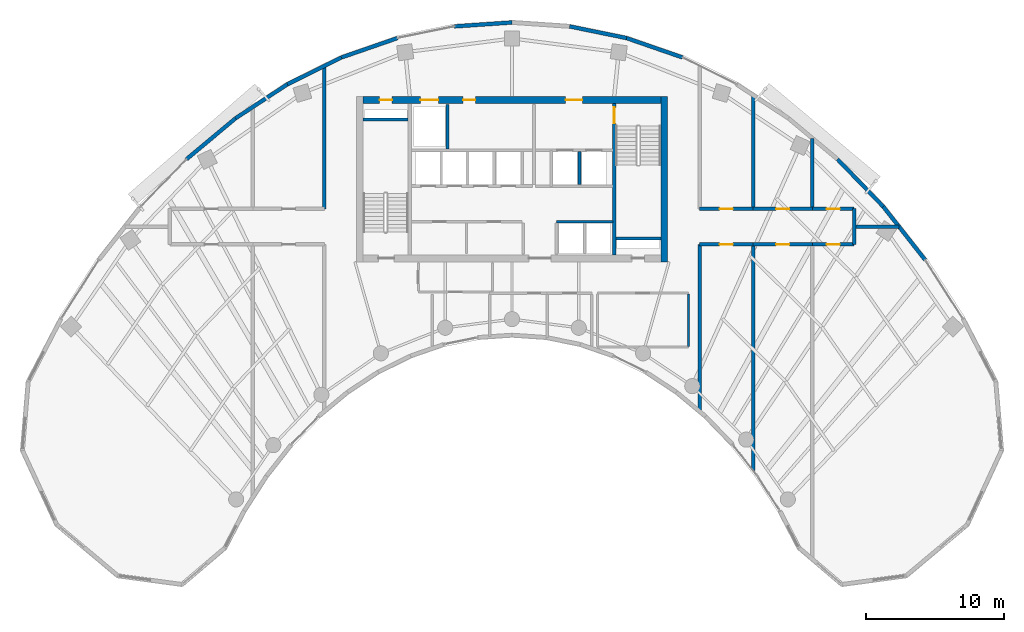
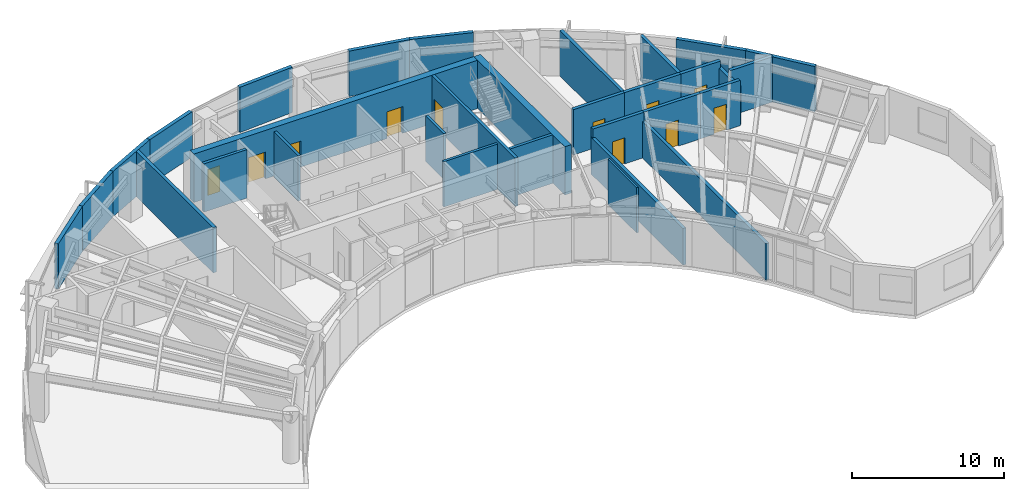
# One storey, part 10 of 13: 31 walls, 11 doors, 11 openings.
"""IFC4 building model written with IfcOpenShell, lengths in metres."""

from ifc_helpers import new_model, si_unit, direction, frame, frame_2d, origin, place, context, subcontext, project, spatial, rectangle, extrude, source, transform, mapped, material, layer, layer_set, type_object, type_shapes, element, fill, save


model = new_model("IFC4")

# Units and contexts
model_context = context("Model", 3, precision=1e-05, world=origin(), true_north=direction((0.0, 1.0)))
body_context = subcontext(model_context, "Body", "Model", "MODEL_VIEW")
ifc_project = project(units=[si_unit("LENGTHUNIT", "METRE"), si_unit("AREAUNIT", "SQUARE_METRE"), si_unit("VOLUMEUNIT", "CUBIC_METRE"), si_unit("PLANEANGLEUNIT", "RADIAN"), si_unit("MASSUNIT", "GRAM", prefix="KILO")], contexts=[model_context])

# Site, building, storey
site_placement = place(None, origin())
site = spatial("IfcSite", under=ifc_project, at=site_placement, CompositionType="ELEMENT")
building_placement = place(site_placement, origin())
building = spatial("IfcBuilding", under=site, at=building_placement, Name="Breltana Convention Tower", CompositionType="ELEMENT")
storey_placement = place(building_placement, frame((0.0, 0.0, 181.800048828125)))
storey = spatial("IfcBuildingStorey", under=building, at=storey_placement, Name="L44", CompositionType="ELEMENT", Elevation=181.800048828125)

# Wall
ifc_material_1 = material(Name="Concrete C60/75", Category="concrete")
ifc_layer_1 = layer(ifc_material_1, 0.5, Name="Concrete C60/75")
ifc_layer_set_1 = layer_set([ifc_layer_1], Name="Concrete C60/75")
wall_type_1 = type_object("IfcWallType", Name="SW-CORE-500", PredefinedType="SHEAR", material=ifc_layer_set_1)
shared_shape_1 = source(origin(), body_context, "Body", "SweptSolid", [
    extrude(rectangle(XDim=12.0, YDim=0.5, at=frame_2d((6.0, 0.0))), origin(), (0.0, 0.0, 1.0), 3.89990234375),
])
wall_1_placement = place(storey_placement, frame((59.050048828125, 60.199951171875, 0.0), z_axis=(0.0, 0.0, 1.0), x_axis=(0.0, 1.0, 0.0)))
element("IfcWall", 1, at=wall_1_placement, inside=storey, type_object=wall_type_1, Name="L44 East Core Shear Wall", PredefinedType="SHEAR", context=body_context, shape_type="MappedRepresentation", body=[
    mapped(shared_shape_1, transform((0.0, 0.0, 0.0), scale=1.0)),
])

# Wall, openings, doors
shared_shape_2 = source(origin(), body_context, "Body", "SweptSolid", [
    extrude(rectangle(XDim=21.60009765625, YDim=0.5, at=frame_2d((10.800048828125, 0.0))), origin(), (0.0, 0.0, 1.0), 3.89990234375),
])
wall_2_placement = place(storey_placement, frame((37.199951171875, 71.949951171875, 0.0), z_axis=(0.0, 0.0, 1.0), x_axis=(1.0, 0.0, 0.0)))
wall_2 = element("IfcWall", 2, at=wall_2_placement, inside=storey, type_object=wall_type_1, Name="L44 North Core Shear Wall", PredefinedType="SHEAR", context=body_context, shape_type="MappedRepresentation", body=[
    mapped(shared_shape_2, transform((0.0, 0.0, 0.0), scale=1.0)),
])
opening_1_placement = place(wall_2_placement, frame((1.199951171875, 0.0, 0.0)))
opening_1 = element("IfcOpeningElement", 3, at=opening_1_placement, cuts=wall_2, Name="Opening D-18", PredefinedType="OPENING", context=body_context, shape_type="SweptSolid", body=[
    extrude(rectangle(XDim=0.89990234375, YDim=2.10009765625, at=frame_2d((0.449951171875, 1.050048828125))), frame((0.0, 0.260009765625, 0.0), z_axis=(0.0, -1.0, 0.0), x_axis=(1.0, 0.0, 0.0)), (0.0, 0.0, 1.0), 0.52001953125),
])
opening_2_placement = place(wall_2_placement, frame((14.699951171875, 0.0, 0.0)))
opening_2 = element("IfcOpeningElement", 4, at=opening_2_placement, cuts=wall_2, Name="Opening D-09", PredefinedType="OPENING", context=body_context, shape_type="SweptSolid", body=[
    extrude(rectangle(XDim=1.199951171875, YDim=2.14990234375, at=frame_2d((0.60009765625, 1.074951171875))), frame((0.0, 0.260009765625, 0.0), z_axis=(0.0, -1.0, 0.0), x_axis=(1.0, 0.0, 0.0)), (0.0, 0.0, 1.0), 0.52001953125),
])
opening_3_placement = place(wall_2_placement, frame((4.14990234375, 0.0, 0.0)))
opening_3 = element("IfcOpeningElement", 5, at=opening_3_placement, cuts=wall_2, Name="Opening LD-01", PredefinedType="OPENING", context=body_context, shape_type="SweptSolid", body=[
    extrude(rectangle(XDim=1.300048828125, YDim=2.14990234375, at=frame_2d((0.64990234375, 1.074951171875))), frame((0.0, 0.260009765625, 0.0), z_axis=(0.0, -1.0, 0.0), x_axis=(1.0, 0.0, 0.0)), (0.0, 0.0, 1.0), 0.52001953125),
])
opening_4_placement = place(wall_2_placement, frame((7.25, 0.0, 0.0)))
opening_4 = element("IfcOpeningElement", 6, at=opening_4_placement, cuts=wall_2, Name="Opening D-18", PredefinedType="OPENING", context=body_context, shape_type="SweptSolid", body=[
    extrude(rectangle(XDim=0.89990234375, YDim=2.10009765625, at=frame_2d((0.449951171875, 1.050048828125))), frame((0.0, 0.260009765625, 0.0), z_axis=(0.0, -1.0, 0.0), x_axis=(1.0, 0.0, 0.0)), (0.0, 0.0, 1.0), 0.52001953125),
])
ifc_material_2 = material(Name="Steel Riser Fire Door", Category="steel")
door_type_1 = type_object("IfcDoorType", Name="DR-FD60-900", OperationType="NOTDEFINED", PredefinedType="DOOR", material=ifc_material_2)
shared_shape_3 = source(origin(), body_context, "Body", "SweptSolid", [
    extrude(rectangle(XDim=0.89990234375, YDim=2.10009765625, at=frame_2d((0.449951171875, 1.050048828125))), frame((0.0, 0.02490234375, 0.0), z_axis=(0.0, -1.0, 0.0), x_axis=(1.0, 0.0, 0.0)), (0.0, 0.0, 1.0), 0.050048828125),
])
type_shapes(door_type_1, [shared_shape_3])
door_1_placement = place(opening_1_placement, origin())
door_1 = element("IfcDoor", 7, at=door_1_placement, inside=storey, type_object=door_type_1, Name="L44 Core Riser Access Door D-L44-RS1", OperationType="SINGLE_SWING_LEFT", OverallHeight=2.10009765625, OverallWidth=0.89990234375, PredefinedType="DOOR", context=body_context, shape_type="MappedRepresentation", body=[
    mapped(shared_shape_3, transform((0.0, 0.0, 0.0), scale=1.0)),
])
fill(opening_1, door_1)
door_2_placement = place(opening_4_placement, origin())
door_2 = element("IfcDoor", 8, at=door_2_placement, inside=storey, type_object=door_type_1, Name="L44 interior door D-L44-CRA1", OperationType="SINGLE_SWING_RIGHT", OverallHeight=2.10009765625, OverallWidth=0.89990234375, PredefinedType="DOOR", context=body_context, shape_type="MappedRepresentation", body=[
    mapped(shared_shape_3, transform((0.0, 0.0, 0.0), scale=1.0)),
])
fill(opening_4, door_2)
ifc_material_3 = material(Name="Steel Fire Lobby Door", Category="steel")
door_type_2 = type_object("IfcDoorType", Name="DR-FD120-1200", OperationType="NOTDEFINED", PredefinedType="DOOR", material=ifc_material_3)
shared_shape_4 = source(origin(), body_context, "Body", "SweptSolid", [
    extrude(rectangle(XDim=1.199951171875, YDim=2.14990234375, at=frame_2d((0.60009765625, 1.074951171875))), frame((0.0, 0.02490234375, 0.0), z_axis=(0.0, -1.0, 0.0), x_axis=(1.0, 0.0, 0.0)), (0.0, 0.0, 1.0), 0.050048828125),
])
type_shapes(door_type_2, [shared_shape_4])
door_3_placement = place(opening_2_placement, origin())
door_3 = element("IfcDoor", 9, at=door_3_placement, inside=storey, type_object=door_type_2, Name="L44 interior door D-L44-FFL-N", OperationType="SINGLE_SWING_RIGHT", OverallHeight=2.14990234375, OverallWidth=1.199951171875, PredefinedType="DOOR", context=body_context, shape_type="MappedRepresentation", body=[
    mapped(shared_shape_4, transform((0.0, 0.0, 0.0), scale=1.0)),
])
fill(opening_2, door_3)
ifc_material_4 = material(Name="Stainless Steel Brushed", Category="steel")
door_type_3 = type_object("IfcDoorType", Name="DR-LD-SRV-1300", OperationType="DOUBLE_DOOR_SLIDING", PredefinedType="DOOR", material=ifc_material_4)
shared_shape_5 = source(origin(), body_context, "Body", "SweptSolid", [
    extrude(rectangle(XDim=1.300048828125, YDim=2.14990234375, at=frame_2d((0.64990234375, 1.074951171875))), frame((0.0, 0.02490234375, 0.0), z_axis=(0.0, -1.0, 0.0), x_axis=(1.0, 0.0, 0.0)), (0.0, 0.0, 1.0), 0.050048828125),
])
type_shapes(door_type_3, [shared_shape_5])
door_4_placement = place(opening_3_placement, origin())
door_4 = element("IfcDoor", 10, at=door_4_placement, inside=storey, type_object=door_type_3, Name="L44 Lift Landing Door D-L44-LD-SV1", OperationType="DOUBLE_DOOR_SLIDING", OverallHeight=2.14990234375, OverallWidth=1.300048828125, PredefinedType="DOOR", context=body_context, shape_type="MappedRepresentation", body=[
    mapped(shared_shape_5, transform((0.0, 0.0, 0.0), scale=1.0)),
])
fill(opening_3, door_4)

# Walls
ifc_material_5 = material(Name="Concrete C50/60", Category="concrete")
ifc_layer_2 = layer(ifc_material_5, 0.39990234375, Name="Concrete C50/60")
ifc_layer_set_2 = layer_set([ifc_layer_2], Name="Concrete C50/60")
wall_type_2 = type_object("IfcWallType", Name="SW-CORE-400", PredefinedType="SHEAR", material=ifc_layer_set_2)
shared_shape_6 = source(origin(), body_context, "Body", "SweptSolid", [
    extrude(rectangle(XDim=3.27001953125, YDim=0.219970703125, at=frame_2d((1.635009765625, 0.0))), origin(), (0.0, 0.0, 1.0), 3.89990234375),
])
for number, where, z_axis, x_axis, name in (
    (11, (37.199951171875, 70.510009765625, 0.0), (0.0, 0.0, 1.0), (1.0, 0.0, 0.0), "L44 ST-1 Stairwell North Bearing Wall"),
    (12, (55.530029296875, 61.889892578125, 0.0), (0.0, 0.0, 1.0), (1.0, 0.0, 0.0), "L44 ST-2 Stairwell South Bearing Wall"),
):
    element("IfcWall", number, at=place(storey_placement, frame(where, z_axis=z_axis, x_axis=x_axis)), inside=storey, type_object=wall_type_2, Name=name, PredefinedType="SHEAR", context=body_context, shape_type="MappedRepresentation", body=[
        mapped(shared_shape_6, transform((0.0, 0.0, 0.0), scale=1.0)),
    ])

# Wall, opening, door
shared_shape_7 = source(origin(), body_context, "Body", "SweptSolid", [
    extrude(rectangle(XDim=11.0, YDim=0.219970703125, at=frame_2d((5.5, 0.0))), origin(), (0.0, 0.0, 1.0), 3.89990234375),
])
wall_3_placement = place(storey_placement, frame((55.419921875, 60.699951171875, 0.0), z_axis=(0.0, 0.0, 1.0), x_axis=(0.0, 1.0, 0.0)))
wall_3 = element("IfcWall", 13, at=wall_3_placement, inside=storey, type_object=wall_type_2, Name="L44 Core East Stair Spine Wall", PredefinedType="SHEAR", context=body_context, shape_type="MappedRepresentation", body=[
    mapped(shared_shape_7, transform((0.0, 0.0, 0.0), scale=1.0)),
])
opening_5_placement = place(wall_3_placement, frame((9.544921875, 0.0, 0.0)))
opening_5 = element("IfcOpeningElement", 14, at=opening_5_placement, cuts=wall_3, Name="Opening D-11", PredefinedType="OPENING", context=body_context, shape_type="SweptSolid", body=[
    extrude(rectangle(XDim=1.14990234375, YDim=2.14990234375, at=frame_2d((0.574951171875, 1.074951171875))), frame((0.0, 0.1201171875, 0.0), z_axis=(0.0, -1.0, 0.0), x_axis=(1.0, 0.0, 0.0)), (0.0, 0.0, 1.0), 0.239990234375),
])
ifc_material_6 = material(Name="Steel Stair Exit Door", Category="steel")
door_type_4 = type_object("IfcDoorType", Name="DR-FD120-1150", OperationType="NOTDEFINED", PredefinedType="DOOR", material=ifc_material_6)
shared_shape_8 = source(origin(), body_context, "Body", "SweptSolid", [
    extrude(rectangle(XDim=1.14990234375, YDim=2.14990234375, at=frame_2d((0.574951171875, 1.074951171875))), frame((0.0, 0.02490234375, 0.0), z_axis=(0.0, -1.0, 0.0), x_axis=(1.0, 0.0, 0.0)), (0.0, 0.0, 1.0), 0.050048828125),
])
type_shapes(door_type_4, [shared_shape_8])
door_5_placement = place(opening_5_placement, origin())
door_5 = element("IfcDoor", 15, at=door_5_placement, inside=storey, type_object=door_type_4, Name="L44 interior door D-L44-ST2", OperationType="SINGLE_SWING_LEFT", OverallHeight=2.14990234375, OverallWidth=1.14990234375, PredefinedType="DOOR", context=body_context, shape_type="MappedRepresentation", body=[
    mapped(shared_shape_8, transform((0.0, 0.0, 0.0), scale=1.0)),
])
fill(opening_5, door_5)

# Walls
ifc_material_7 = material(Name="Limestone Buff Insulated Wall", Category="masonry")
ifc_layer_3 = layer(ifc_material_7, 0.280029296875, Name="Limestone Buff Insulated Wall")
ifc_layer_set_3 = layer_set([ifc_layer_3], Name="Limestone Buff Insulated Wall")
wall_type_3 = type_object("IfcWallType", Name="WL-EXT-NOSE-280", PredefinedType="SOLIDWALL", material=ifc_layer_set_3)
shared_shape_9 = source(origin(), body_context, "Body", "SweptSolid", [
    extrude(rectangle(XDim=4.921630859375, YDim=0.280029296875, at=frame_2d((2.4609375, 0.0))), origin(), (0.0, 0.0, 1.0), 3.64990234375),
])
wall_4_placement = place(storey_placement, frame((74.936279296875, 64.206298828125, 0.0), z_axis=(0.0, 0.0, 1.0), x_axis=(0.61817639101, -0.786039407153, 0.0)))
element("IfcWall", 16, at=wall_4_placement, inside=storey, type_object=wall_type_3, Name="L44 curved limestone nose wall E32", PredefinedType="SOLIDWALL", context=body_context, shape_type="MappedRepresentation", body=[
    mapped(shared_shape_9, transform((0.0, 0.0, 0.0), scale=1.0)),
])
shared_shape_10 = source(origin(), body_context, "Body", "SweptSolid", [
    extrude(rectangle(XDim=4.77587890625, YDim=0.280029296875, at=frame_2d((2.387939453125, 0.0))), origin(), (0.0, 0.0, 1.0), 3.64990234375),
])
wall_5_placement = place(storey_placement, frame((71.618896484375, 67.64208984375, 0.0), z_axis=(0.0, 0.0, 1.0), x_axis=(0.694601811851, -0.719394414055, 0.0)))
element("IfcWall", 17, at=wall_5_placement, inside=storey, type_object=wall_type_3, Name="L44 curved limestone nose wall E31", PredefinedType="SOLIDWALL", context=body_context, shape_type="MappedRepresentation", body=[
    mapped(shared_shape_10, transform((0.0, 0.0, 0.0), scale=1.0)),
])
shared_shape_11 = source(origin(), body_context, "Body", "SweptSolid", [
    extrude(rectangle(XDim=4.633544921875, YDim=0.280029296875, at=frame_2d((2.31689453125, 0.0))), origin(), (0.0, 0.0, 1.0), 3.64990234375),
])
wall_6_placement = place(storey_placement, frame((24.381103515625, 67.64208984375, 0.0), z_axis=(0.0, 0.0, 1.0), x_axis=(0.767910229096, 0.640557475993, 0.0)))
element("IfcWall", 18, at=wall_6_placement, inside=storey, type_object=wall_type_3, Name="L44 curved limestone nose wall E21", PredefinedType="SOLIDWALL", context=body_context, shape_type="MappedRepresentation", body=[
    mapped(shared_shape_11, transform((0.0, 0.0, 0.0), scale=1.0)),
])
shared_shape_12 = source(origin(), body_context, "Body", "SweptSolid", [
    extrude(rectangle(XDim=4.500732421875, YDim=0.280029296875, at=frame_2d((2.25048828125, 0.0))), origin(), (0.0, 0.0, 1.0), 3.64990234375),
])
wall_7_placement = place(storey_placement, frame((27.939208984375, 70.610107421875, 0.0), z_axis=(0.0, 0.0, 1.0), x_axis=(0.835984920737, 0.548752414391, 0.0)))
element("IfcWall", 19, at=wall_7_placement, inside=storey, type_object=wall_type_3, Name="L44 curved limestone nose wall E22", PredefinedType="SOLIDWALL", context=body_context, shape_type="MappedRepresentation", body=[
    mapped(shared_shape_12, transform((0.0, 0.0, 0.0), scale=1.0)),
])
shared_shape_13 = source(origin(), body_context, "Body", "SweptSolid", [
    extrude(rectangle(XDim=4.289794921875, YDim=0.280029296875, at=frame_2d((2.14501953125, 0.0))), origin(), (0.0, 0.0, 1.0), 3.64990234375),
])
for number, where, z_axis, x_axis, name in (
    (20, (35.629638671875, 75.02685546875, 0.0), (0.0, 0.0, 1.0), (0.944883859218, 0.3274057003, 0.0), "L44 curved limestone nose wall E24"),
    (21, (56.31689453125, 76.431396484375, 0.0), (0.0, 0.0, 1.0), (0.944883859218, -0.3274057003, 0.0), "L44 curved limestone nose wall E28"),
):
    element("IfcWall", number, at=place(storey_placement, frame(where, z_axis=z_axis, x_axis=x_axis)), inside=storey, type_object=wall_type_3, Name=name, PredefinedType="SOLIDWALL", context=body_context, shape_type="MappedRepresentation", body=[
        mapped(shared_shape_13, transform((0.0, 0.0, 0.0), scale=1.0)),
    ])
shared_shape_14 = source(origin(), body_context, "Body", "SweptSolid", [
    extrude(rectangle(XDim=4.223388671875, YDim=0.280029296875, at=frame_2d((2.11181640625, 0.0))), origin(), (0.0, 0.0, 1.0), 3.64990234375),
])
wall_8_placement = place(storey_placement, frame((52.1796875, 77.27978515625, 0.0), z_axis=(0.0, 0.0, 1.0), x_axis=(0.979615245085, -0.200882979858, 0.0)))
element("IfcWall", 22, at=wall_8_placement, inside=storey, type_object=wall_type_3, Name="L44 curved limestone nose wall E27", PredefinedType="SOLIDWALL", context=body_context, shape_type="MappedRepresentation", body=[
    mapped(shared_shape_14, transform((0.0, 0.0, 0.0), scale=1.0)),
])
shared_shape_15 = source(origin(), body_context, "Body", "SweptSolid", [
    extrude(rectangle(XDim=4.189208984375, YDim=0.280029296875, at=frame_2d((2.0947265625, 0.0))), origin(), (0.0, 0.0, 1.0), 3.64990234375),
])
wall_9_placement = place(storey_placement, frame((43.8203125, 77.27978515625, 0.0), z_axis=(0.0, 0.0, 1.0), x_axis=(0.997700560699, 0.067776036921, 0.0)))
element("IfcWall", 23, at=wall_9_placement, inside=storey, type_object=wall_type_3, Name="L44 curved limestone nose wall E25", PredefinedType="SOLIDWALL", context=body_context, shape_type="MappedRepresentation", body=[
    mapped(shared_shape_15, transform((0.0, 0.0, 0.0), scale=1.0)),
])
shared_shape_16 = source(origin(), body_context, "Body", "SweptSolid", [
    extrude(rectangle(XDim=4.384033203125, YDim=0.280029296875, at=frame_2d((2.19189453125, 0.0))), origin(), (0.0, 0.0, 1.0), 3.64990234375),
])
wall_10_placement = place(storey_placement, frame((31.70166015625, 73.079833984375, 0.0), z_axis=(0.0, 0.0, 1.0), x_axis=(0.895969968053, 0.444114643248, 0.0)))
element("IfcWall", 24, at=wall_10_placement, inside=storey, type_object=wall_type_3, Name="L44 curved limestone nose wall E23", PredefinedType="SOLIDWALL", context=body_context, shape_type="MappedRepresentation", body=[
    mapped(shared_shape_16, transform((0.0, 0.0, 0.0), scale=1.0)),
])
ifc_material_8 = material(Name="Autoclaved Aerated Concrete Block", Category="concrete")
ifc_layer_4 = layer(ifc_material_8, 0.199951171875, Name="Autoclaved Aerated Concrete Block")
ifc_layer_set_4 = layer_set([ifc_layer_4], Name="Autoclaved Aerated Concrete Block")
wall_type_4 = type_object("IfcWallType", Name="WL-SHAFT-200", PredefinedType="SOLIDWALL", material=ifc_layer_set_4)
shared_shape_17 = source(origin(), body_context, "Body", "SweptSolid", [
    extrude(rectangle(XDim=2.39990234375, YDim=0.199951171875, at=frame_2d((1.199951171875, 0.0))), origin(), (0.0, 0.0, 1.0), 3.64990234375),
])
wall_11_placement = place(storey_placement, frame((52.89990234375, 65.800048828125, 0.0), z_axis=(0.0, 0.0, 1.0), x_axis=(0.0, 1.0, 0.0)))
element("IfcWall", 25, at=wall_11_placement, inside=storey, type_object=wall_type_4, Name="L44 interior partition W-L44-FL-DIV", PredefinedType="SOLIDWALL", context=body_context, shape_type="MappedRepresentation", body=[
    mapped(shared_shape_17, transform((0.0, 0.0, 0.0), scale=1.0)),
])
shared_shape_18 = source(origin(), body_context, "Body", "SweptSolid", [
    extrude(rectangle(XDim=3.2001953125, YDim=0.199951171875, at=frame_2d((1.60009765625, 0.0))), origin(), (0.0, 0.0, 1.0), 3.64990234375),
])
wall_12_placement = place(storey_placement, frame((43.320068359375, 68.39990234375, 0.0), z_axis=(0.0, 0.0, 1.0), x_axis=(0.0, 1.0, 0.0)))
element("IfcWall", 26, at=wall_12_placement, inside=storey, type_object=wall_type_4, Name="L44 interior partition W-L44-SV-E", PredefinedType="SOLIDWALL", context=body_context, shape_type="MappedRepresentation", body=[
    mapped(shared_shape_18, transform((0.0, 0.0, 0.0), scale=1.0)),
])
shared_shape_19 = source(origin(), body_context, "Body", "SweptSolid", [
    extrude(rectangle(XDim=4.10009765625, YDim=0.199951171875, at=frame_2d((2.050048828125, 0.0))), origin(), (0.0, 0.0, 1.0), 3.64990234375),
])
wall_13_placement = place(storey_placement, frame((51.219970703125, 63.10009765625, 0.0), z_axis=(0.0, 0.0, 1.0), x_axis=(1.0, 0.0, 0.0)))
element("IfcWall", 27, at=wall_13_placement, inside=storey, type_object=wall_type_4, Name="L44 interior partition W-L44-SH-X-FRONT", PredefinedType="SOLIDWALL", context=body_context, shape_type="MappedRepresentation", body=[
    mapped(shared_shape_19, transform((0.0, 0.0, 0.0), scale=1.0)),
])
ifc_material_9 = material(Name="Gypsum Acoustic Drywall Partition")
ifc_layer_5 = layer(ifc_material_9, 0.14990234375, Name="Gypsum Acoustic Drywall Partition")
ifc_layer_set_5 = layer_set([ifc_layer_5], Name="Gypsum Acoustic Drywall Partition")
wall_type_5 = type_object("IfcWallType", Name="WL-PART-150", PredefinedType="PARTITIONING", material=ifc_layer_set_5)
shared_shape_20 = source(origin(), body_context, "Body", "SweptSolid", [
    extrude(rectangle(XDim=3.78515625, YDim=0.14990234375, at=frame_2d((1.892578125, 0.0))), origin(), (0.0, 0.0, 1.0), 3.64990234375),
])
wall_14_placement = place(storey_placement, frame((60.800048828125, 54.0673828125, 0.0), z_axis=(0.0, 0.0, 1.0), x_axis=(0.0, 1.0, 0.0)))
element("IfcWall", 28, at=wall_14_placement, inside=storey, type_object=wall_type_5, Name="L44 interior partition W-L44-PNT-E", PredefinedType="PARTITIONING", context=body_context, shape_type="MappedRepresentation", body=[
    mapped(shared_shape_20, transform((0.0, 0.0, 0.0), scale=1.0)),
])
ifc_material_10 = material(Name="Gypsum Acoustic Double Stud Wall")
ifc_layer_6 = layer(ifc_material_10, 0.25, Name="Gypsum Acoustic Double Stud Wall")
ifc_layer_set_6 = layer_set([ifc_layer_6], Name="Gypsum Acoustic Double Stud Wall")
wall_type_6 = type_object("IfcWallType", Name="WL-ACOUSTIC-250", PredefinedType="PARTITIONING", material=ifc_layer_set_6)
shared_shape_21 = source(origin(), body_context, "Body", "SweptSolid", [
    extrude(rectangle(XDim=2.6201171875, YDim=0.25, at=frame_2d((1.31005859375, 0.0))), origin(), (0.0, 0.0, 1.0), 3.093017578125),
])
wall_15_placement = place(storey_placement, frame((72.820068359375, 61.43994140625, 0.0), z_axis=(0.0, 0.0, 1.0), x_axis=(0.0, 1.0, 0.0)))
element("IfcWall", 29, at=wall_15_placement, inside=storey, type_object=wall_type_6, Name="L44 interior partition W-L44-ZFE-CAP", PredefinedType="PARTITIONING", context=body_context, shape_type="MappedRepresentation", body=[
    mapped(shared_shape_21, transform((0.0, 0.0, 0.0), scale=1.0)),
])
shared_shape_22 = source(origin(), body_context, "Body", "SweptSolid", [
    extrude(rectangle(XDim=10.346435546875, YDim=0.25, at=frame_2d((5.17333984375, 0.0))), origin(), (0.0, 0.0, 1.0), 3.64990234375),
])
wall_16_placement = place(storey_placement, frame((34.360107421875, 64.0400390625, 0.0), z_axis=(0.0, 0.0, 1.0), x_axis=(0.0, 1.0, 0.0)))
element("IfcWall", 30, at=wall_16_placement, inside=storey, type_object=wall_type_6, Name="L44 interior partition W-L44-ZODD-WN", PredefinedType="PARTITIONING", context=body_context, shape_type="MappedRepresentation", body=[
    mapped(shared_shape_22, transform((0.0, 0.0, 0.0), scale=1.0)),
])

# Wall, opening, door
shared_shape_23 = source(origin(), body_context, "Body", "SweptSolid", [
    extrude(rectangle(XDim=3.89990234375, YDim=0.25, at=frame_2d((1.949951171875, 0.0))), origin(), (0.0, 0.0, 1.0), 3.64990234375),
])
wall_17_placement = place(storey_placement, frame((61.60009765625, 64.0400390625, 0.0), z_axis=(0.0, 0.0, 1.0), x_axis=(1.0, 0.0, 0.0)))
wall_17 = element("IfcWall", 31, at=wall_17_placement, inside=storey, type_object=wall_type_6, Name="L44 interior partition W-L44-ZEN1-D", PredefinedType="PARTITIONING", context=body_context, shape_type="MappedRepresentation", body=[
    mapped(shared_shape_23, transform((0.0, 0.0, 0.0), scale=1.0)),
])
opening_6_placement = place(wall_17_placement, frame((1.47509765625, 0.0, 0.0)))
opening_6 = element("IfcOpeningElement", 32, at=opening_6_placement, cuts=wall_17, Name="Opening D-17", PredefinedType="OPENING", context=body_context, shape_type="SweptSolid", body=[
    extrude(rectangle(XDim=0.949951171875, YDim=2.10009765625, at=frame_2d((0.47509765625, 1.050048828125))), frame((0.0, 0.135009765625, 0.0), z_axis=(0.0, -1.0, 0.0), x_axis=(1.0, 0.0, 0.0)), (0.0, 0.0, 1.0), 0.27001953125),
])
ifc_material_11 = material(Name="Timber Oak Veneer Door", Category="wood")
door_type_5 = type_object("IfcDoorType", Name="DR-INT-950", OperationType="NOTDEFINED", PredefinedType="DOOR", material=ifc_material_11)
shared_shape_24 = source(origin(), body_context, "Body", "SweptSolid", [
    extrude(rectangle(XDim=0.949951171875, YDim=2.10009765625, at=frame_2d((0.47509765625, 1.050048828125))), frame((0.0, 0.02490234375, 0.0), z_axis=(0.0, -1.0, 0.0), x_axis=(1.0, 0.0, 0.0)), (0.0, 0.0, 1.0), 0.050048828125),
])
type_shapes(door_type_5, [shared_shape_24])
door_6_placement = place(opening_6_placement, origin())
door_6 = element("IfcDoor", 33, at=door_6_placement, inside=storey, type_object=door_type_5, Name="L44 interior door D-L44-ZEN1", OperationType="SINGLE_SWING_RIGHT", OverallHeight=2.10009765625, OverallWidth=0.949951171875, PredefinedType="DOOR", context=body_context, shape_type="MappedRepresentation", body=[
    mapped(shared_shape_24, transform((0.0, 0.0, 0.0), scale=1.0)),
])
fill(opening_6, door_6)

wall_18_placement = place(storey_placement, frame((61.60009765625, 61.4599609375, 0.0), z_axis=(0.0, 0.0, 1.0), x_axis=(1.0, 0.0, 0.0)))
wall_18 = element("IfcWall", 34, at=wall_18_placement, inside=storey, type_object=wall_type_6, Name="L44 interior partition W-L44-ZES1-D", PredefinedType="PARTITIONING", context=body_context, shape_type="MappedRepresentation", body=[
    mapped(shared_shape_23, transform((0.0, 0.0, 0.0), scale=1.0)),
])
opening_7_placement = place(wall_18_placement, frame((1.47509765625, 0.0, 0.0)))
opening_7 = element("IfcOpeningElement", 35, at=opening_7_placement, cuts=wall_18, Name="Opening D-17", PredefinedType="OPENING", context=body_context, shape_type="SweptSolid", body=[
    extrude(rectangle(XDim=0.949951171875, YDim=2.10009765625, at=frame_2d((0.47509765625, 1.050048828125))), frame((0.0, 0.135009765625, 0.0), z_axis=(0.0, -1.0, 0.0), x_axis=(1.0, 0.0, 0.0)), (0.0, 0.0, 1.0), 0.27001953125),
])
door_7_placement = place(opening_7_placement, origin())
door_7 = element("IfcDoor", 36, at=door_7_placement, inside=storey, type_object=door_type_5, Name="L44 interior door D-L44-ZES1", OperationType="SINGLE_SWING_LEFT", OverallHeight=2.10009765625, OverallWidth=0.949951171875, PredefinedType="DOOR", context=body_context, shape_type="MappedRepresentation", body=[
    mapped(shared_shape_24, transform((0.0, 0.0, 0.0), scale=1.0)),
])
fill(opening_7, door_7)

# Wall
shared_shape_25 = source(origin(), body_context, "Body", "SweptSolid", [
    extrude(rectangle(XDim=8.218994140625, YDim=0.25, at=frame_2d((4.109375, 0.0))), origin(), (0.0, 0.0, 1.0), 3.64990234375),
])
wall_19_placement = place(storey_placement, frame((65.5, 64.06005859375, 0.0), z_axis=(0.0, 0.0, 1.0), x_axis=(0.0, 1.0, 0.0)))
element("IfcWall", 37, at=wall_19_placement, inside=storey, type_object=wall_type_6, Name="L44 interior partition W-L44-ZEN1-E", PredefinedType="PARTITIONING", context=body_context, shape_type="MappedRepresentation", body=[
    mapped(shared_shape_25, transform((0.0, 0.0, 0.0), scale=1.0)),
])

# Wall, opening, door
shared_shape_26 = source(origin(), body_context, "Body", "SweptSolid", [
    extrude(rectangle(XDim=4.300048828125, YDim=0.25, at=frame_2d((2.14990234375, 0.0))), origin(), (0.0, 0.0, 1.0), 3.64990234375),
])
wall_20_placement = place(storey_placement, frame((65.5, 64.0400390625, 0.0), z_axis=(0.0, 0.0, 1.0), x_axis=(1.0, 0.0, 0.0)))
wall_20 = element("IfcWall", 38, at=wall_20_placement, inside=storey, type_object=wall_type_6, Name="L44 interior partition W-L44-ZEN2-D", PredefinedType="PARTITIONING", context=body_context, shape_type="MappedRepresentation", body=[
    mapped(shared_shape_26, transform((0.0, 0.0, 0.0), scale=1.0)),
])
opening_8_placement = place(wall_20_placement, frame((1.675048828125, 0.0, 0.0)))
opening_8 = element("IfcOpeningElement", 39, at=opening_8_placement, cuts=wall_20, Name="Opening D-17", PredefinedType="OPENING", context=body_context, shape_type="SweptSolid", body=[
    extrude(rectangle(XDim=0.949951171875, YDim=2.10009765625, at=frame_2d((0.47509765625, 1.050048828125))), frame((0.0, 0.135009765625, 0.0), z_axis=(0.0, -1.0, 0.0), x_axis=(1.0, 0.0, 0.0)), (0.0, 0.0, 1.0), 0.27001953125),
])
door_8_placement = place(opening_8_placement, origin())
door_8 = element("IfcDoor", 40, at=door_8_placement, inside=storey, type_object=door_type_5, Name="L44 interior door D-L44-ZEN2", OperationType="SINGLE_SWING_LEFT", OverallHeight=2.10009765625, OverallWidth=0.949951171875, PredefinedType="DOOR", context=body_context, shape_type="MappedRepresentation", body=[
    mapped(shared_shape_24, transform((0.0, 0.0, 0.0), scale=1.0)),
])
fill(opening_8, door_8)

wall_21_placement = place(storey_placement, frame((65.5, 61.4599609375, 0.0), z_axis=(0.0, 0.0, 1.0), x_axis=(1.0, 0.0, 0.0)))
wall_21 = element("IfcWall", 41, at=wall_21_placement, inside=storey, type_object=wall_type_6, Name="L44 interior partition W-L44-ZES2-D", PredefinedType="PARTITIONING", context=body_context, shape_type="MappedRepresentation", body=[
    mapped(shared_shape_26, transform((0.0, 0.0, 0.0), scale=1.0)),
])
opening_9_placement = place(wall_21_placement, frame((1.675048828125, 0.0, 0.0)))
opening_9 = element("IfcOpeningElement", 42, at=opening_9_placement, cuts=wall_21, Name="Opening D-17", PredefinedType="OPENING", context=body_context, shape_type="SweptSolid", body=[
    extrude(rectangle(XDim=0.949951171875, YDim=2.10009765625, at=frame_2d((0.47509765625, 1.050048828125))), frame((0.0, 0.135009765625, 0.0), z_axis=(0.0, -1.0, 0.0), x_axis=(1.0, 0.0, 0.0)), (0.0, 0.0, 1.0), 0.27001953125),
])
door_9_placement = place(opening_9_placement, origin())
door_9 = element("IfcDoor", 43, at=door_9_placement, inside=storey, type_object=door_type_5, Name="L44 interior door D-L44-ZES2", OperationType="SINGLE_SWING_RIGHT", OverallHeight=2.10009765625, OverallWidth=0.949951171875, PredefinedType="DOOR", context=body_context, shape_type="MappedRepresentation", body=[
    mapped(shared_shape_24, transform((0.0, 0.0, 0.0), scale=1.0)),
])
fill(opening_9, door_9)

# Wall
shared_shape_27 = source(origin(), body_context, "Body", "SweptSolid", [
    extrude(rectangle(XDim=5.086181640625, YDim=0.25, at=frame_2d((2.54296875, 0.0))), origin(), (0.0, 0.0, 1.0), 3.64990234375),
])
wall_22_placement = place(storey_placement, frame((69.800048828125, 64.06005859375, 0.0), z_axis=(0.0, 0.0, 1.0), x_axis=(0.0, 1.0, 0.0)))
element("IfcWall", 44, at=wall_22_placement, inside=storey, type_object=wall_type_6, Name="L44 interior partition W-L44-ZEN2-E", PredefinedType="PARTITIONING", context=body_context, shape_type="MappedRepresentation", body=[
    mapped(shared_shape_27, transform((0.0, 0.0, 0.0), scale=1.0)),
])

# Wall, opening, door
shared_shape_28 = source(origin(), body_context, "Body", "SweptSolid", [
    extrude(rectangle(XDim=3.02001953125, YDim=0.25, at=frame_2d((1.510009765625, 0.0))), origin(), (0.0, 0.0, 1.0), 3.64990234375),
])
wall_23_placement = place(storey_placement, frame((69.800048828125, 64.0400390625, 0.0), z_axis=(0.0, 0.0, 1.0), x_axis=(1.0, 0.0, 0.0)))
wall_23 = element("IfcWall", 45, at=wall_23_placement, inside=storey, type_object=wall_type_6, Name="L44 interior partition W-L44-ZEN3-D", PredefinedType="PARTITIONING", context=body_context, shape_type="MappedRepresentation", body=[
    mapped(shared_shape_28, transform((0.0, 0.0, 0.0), scale=1.0)),
])
opening_10_placement = place(wall_23_placement, frame((1.034912109375, 0.0, 0.0)))
opening_10 = element("IfcOpeningElement", 46, at=opening_10_placement, cuts=wall_23, Name="Opening D-17", PredefinedType="OPENING", context=body_context, shape_type="SweptSolid", body=[
    extrude(rectangle(XDim=0.949951171875, YDim=2.10009765625, at=frame_2d((0.47509765625, 1.050048828125))), frame((0.0, 0.135009765625, 0.0), z_axis=(0.0, -1.0, 0.0), x_axis=(1.0, 0.0, 0.0)), (0.0, 0.0, 1.0), 0.27001953125),
])
door_10_placement = place(opening_10_placement, origin())
door_10 = element("IfcDoor", 47, at=door_10_placement, inside=storey, type_object=door_type_5, Name="L44 interior door D-L44-ZEN3", OperationType="SINGLE_SWING_RIGHT", OverallHeight=2.10009765625, OverallWidth=0.949951171875, PredefinedType="DOOR", context=body_context, shape_type="MappedRepresentation", body=[
    mapped(shared_shape_24, transform((0.0, 0.0, 0.0), scale=1.0)),
])
fill(opening_10, door_10)

wall_24_placement = place(storey_placement, frame((69.800048828125, 61.4599609375, 0.0), z_axis=(0.0, 0.0, 1.0), x_axis=(1.0, 0.0, 0.0)))
wall_24 = element("IfcWall", 48, at=wall_24_placement, inside=storey, type_object=wall_type_6, Name="L44 interior partition W-L44-ZES3-D", PredefinedType="PARTITIONING", context=body_context, shape_type="MappedRepresentation", body=[
    mapped(shared_shape_28, transform((0.0, 0.0, 0.0), scale=1.0)),
])
opening_11_placement = place(wall_24_placement, frame((1.034912109375, 0.0, 0.0)))
opening_11 = element("IfcOpeningElement", 49, at=opening_11_placement, cuts=wall_24, Name="Opening D-17", PredefinedType="OPENING", context=body_context, shape_type="SweptSolid", body=[
    extrude(rectangle(XDim=0.949951171875, YDim=2.10009765625, at=frame_2d((0.47509765625, 1.050048828125))), frame((0.0, 0.135009765625, 0.0), z_axis=(0.0, -1.0, 0.0), x_axis=(1.0, 0.0, 0.0)), (0.0, 0.0, 1.0), 0.27001953125),
])
door_11_placement = place(opening_11_placement, origin())
door_11 = element("IfcDoor", 50, at=door_11_placement, inside=storey, type_object=door_type_5, Name="L44 interior door D-L44-ZES3", OperationType="SINGLE_SWING_LEFT", OverallHeight=2.10009765625, OverallWidth=0.949951171875, PredefinedType="DOOR", context=body_context, shape_type="MappedRepresentation", body=[
    mapped(shared_shape_24, transform((0.0, 0.0, 0.0), scale=1.0)),
])
fill(opening_11, door_11)

# Walls
shared_shape_29 = source(origin(), body_context, "Body", "SweptSolid", [
    extrude(rectangle(XDim=16.368896484375, YDim=0.25, at=frame_2d((8.1845703125, 0.0))), origin(), (0.0, 0.0, 1.0), 2.94189453125),
])
wall_25_placement = place(storey_placement, frame((65.5, 45.071044921875, 0.0), z_axis=(0.0, 0.0, 1.0), x_axis=(0.0, 1.0, 0.0)))
element("IfcWall", 51, at=wall_25_placement, inside=storey, type_object=wall_type_6, Name="L44 interior partition W-L44-ZES1-E", PredefinedType="PARTITIONING", context=body_context, shape_type="MappedRepresentation", body=[
    mapped(shared_shape_29, transform((0.0, 0.0, 0.0), scale=1.0)),
])
shared_shape_30 = source(origin(), body_context, "Body", "SweptSolid", [
    extrude(rectangle(XDim=12.126220703125, YDim=0.25, at=frame_2d((6.06298828125, 0.0))), origin(), (0.0, 0.0, 1.0), 2.94189453125),
])
wall_26_placement = place(storey_placement, frame((61.639892578125, 49.333740234375, 0.0), z_axis=(0.0, 0.0, 1.0), x_axis=(0.0, 1.0, 0.0)))
element("IfcWall", 52, at=wall_26_placement, inside=storey, type_object=wall_type_6, Name="L44 interior partition W-L44-ZODD-EC", PredefinedType="PARTITIONING", context=body_context, shape_type="MappedRepresentation", body=[
    mapped(shared_shape_30, transform((0.0, 0.0, 0.0), scale=1.0)),
])
shared_shape_31 = source(origin(), body_context, "Body", "SweptSolid", [
    extrude(rectangle(XDim=3.248779296875, YDim=0.25, at=frame_2d((1.62451171875, 0.0))), origin(), (0.0, 0.0, 1.0), 3.64990234375),
])
wall_27_placement = place(storey_placement, frame((72.820068359375, 62.75, 0.0), z_axis=(0.0, 0.0, 1.0), x_axis=(1.0, 0.0, 0.0)))
element("IfcWall", 53, at=wall_27_placement, inside=storey, type_object=wall_type_6, Name="L44 interior partition W-L44-ZFE-EXT", PredefinedType="PARTITIONING", context=body_context, shape_type="MappedRepresentation", body=[
    mapped(shared_shape_31, transform((0.0, 0.0, 0.0), scale=1.0)),
])

save(model, "model.ifc")
